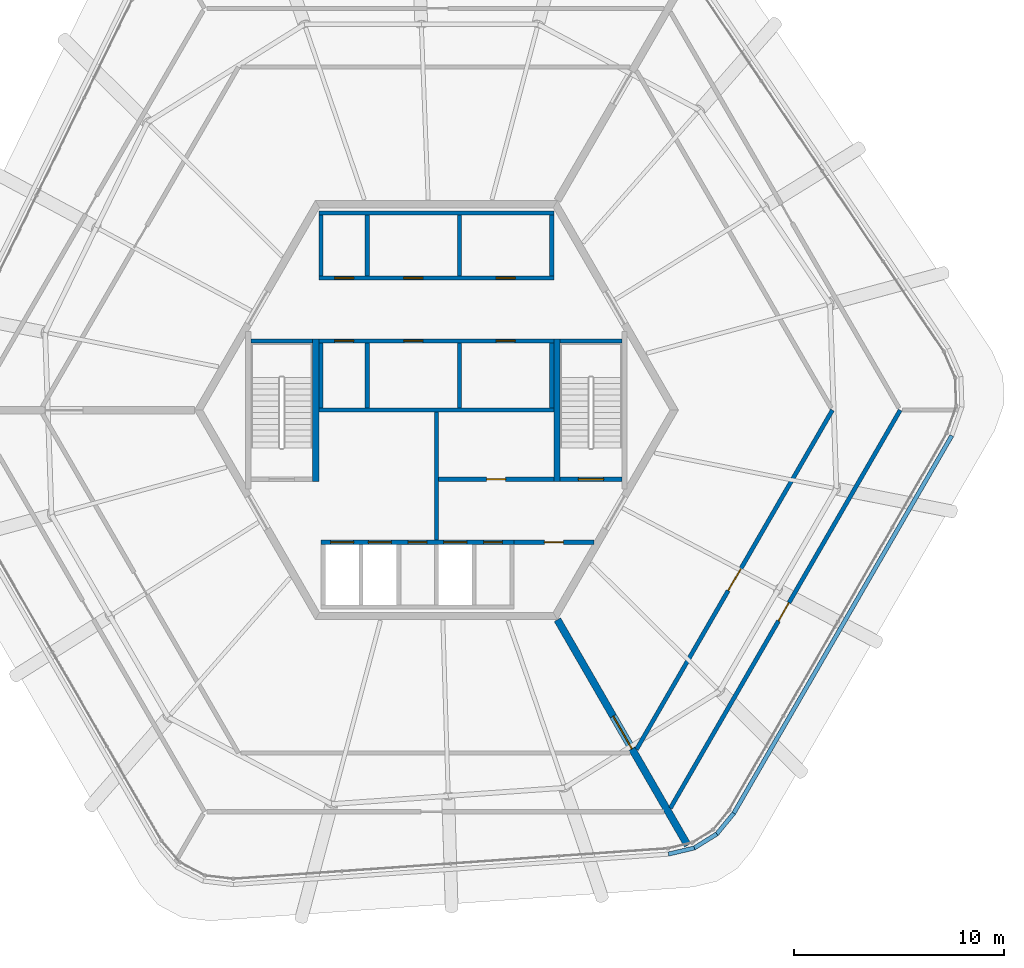
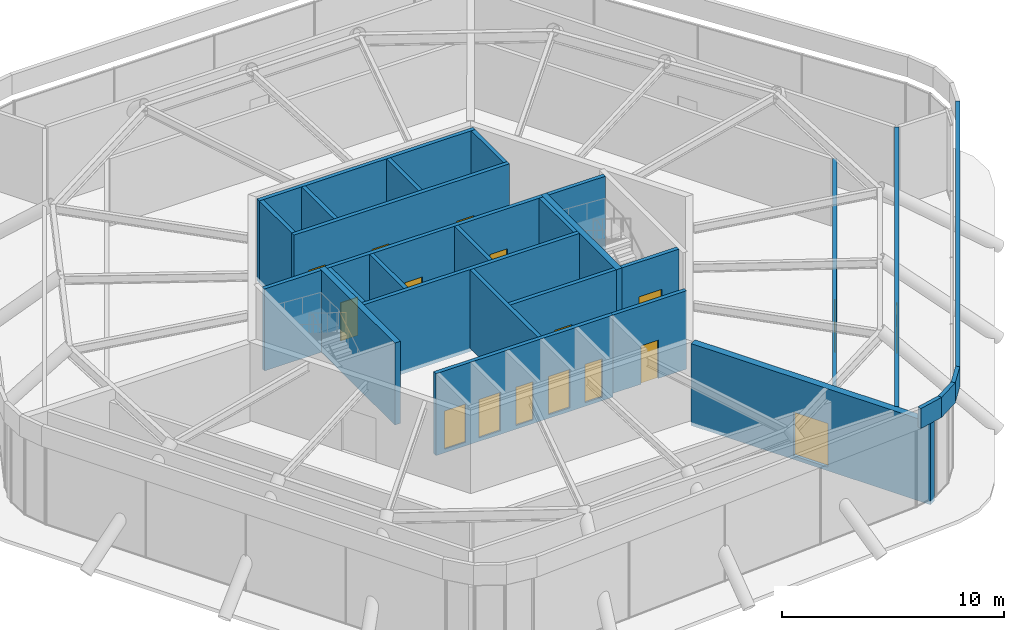
# One storey, part 11 of 13: 28 walls, 17 doors, 17 openings.
"""IFC4 building model written with IfcOpenShell, lengths in metres."""

from ifc_helpers import new_model, si_unit, direction, frame, frame_2d, origin, place, context, subcontext, project, spatial, polyline, rectangle, outline, extrude, material, layer, layer_set, type_object, element, fill, save


model = new_model("IFC4")

# Units and contexts
model_context = context("Model", 3, precision=1e-05, world=origin(), true_north=direction((0.0, 1.0)))
body_context = subcontext(model_context, "Body", "Model", "MODEL_VIEW")
ifc_project = project(units=[si_unit("LENGTHUNIT", "METRE"), si_unit("AREAUNIT", "SQUARE_METRE"), si_unit("VOLUMEUNIT", "CUBIC_METRE"), si_unit("PLANEANGLEUNIT", "RADIAN"), si_unit("MASSUNIT", "GRAM", prefix="KILO")], contexts=[model_context])

# Site, building, storey
site_placement = place(None, origin())
site = spatial("IfcSite", under=ifc_project, at=site_placement, CompositionType="ELEMENT")
building_placement = place(site_placement, origin())
building = spatial("IfcBuilding", under=site, at=building_placement, Name="Tarnside Tower", CompositionType="ELEMENT")
storey_placement = place(building_placement, frame((0.0, 0.0, 388.199951171875)))
storey = spatial("IfcBuildingStorey", under=building, at=storey_placement, Name="L92", CompositionType="ELEMENT", Elevation=388.199951171875)

# Wall, opening, door
ifc_material_1 = material(Name="Concrete C40/50", Category="concrete")
ifc_layer_1 = layer(ifc_material_1, 0.199951171875)
ifc_layer_set_1 = layer_set([ifc_layer_1], Name="Core room partition 200 C40/50")
wall_type_1 = type_object("IfcWallType", Name="Core room partition 200 C40/50", PredefinedType="PARTITIONING", material=ifc_layer_set_1)
wall_1_placement = place(storey_placement, frame((0.10009765625, -3.300048828125, 0.0), z_axis=(0.0, 0.0, 1.0), x_axis=(1.0, 0.0, 0.0)))
wall_1 = element("IfcWall", 1, at=wall_1_placement, inside=storey, type_object=wall_type_1, Name="L92 core partition R3S1", PredefinedType="PARTITIONING", context=body_context, shape_type="SweptSolid", body=[
    extrude(rectangle(XDim=5.5, YDim=0.199951171875, at=frame_2d((2.75, 0.0))), origin(), (0.0, 0.0, 1.0), 4.300048828125),
])
opening_1_placement = place(wall_1_placement, frame((2.300048828125, 0.0, 0.0)))
opening_1 = element("IfcOpeningElement", 2, at=opening_1_placement, cuts=wall_1, Name="Opening CD-room", PredefinedType="OPENING", context=body_context, shape_type="SweptSolid", body=[
    extrude(rectangle(XDim=0.89990234375, YDim=2.10009765625, at=frame_2d((0.449951171875, 1.050048828125))), frame((0.0, 0.10986328125, 0.0), z_axis=(0.0, -1.0, 0.0), x_axis=(1.0, 0.0, 0.0)), (0.0, 0.0, 1.0), 0.219970703125),
])
ifc_material_2 = material(Name="Steel fire door", Category="steel")
door_type_1 = type_object("IfcDoorType", Name="Room door FD60 900x2100", OperationType="NOTDEFINED", PredefinedType="DOOR", material=ifc_material_2)
door_1_placement = place(opening_1_placement, origin())
door_1 = element("IfcDoor", 3, at=door_1_placement, inside=storey, type_object=door_type_1, Name="L92 core room door SR1", OperationType="SINGLE_SWING_LEFT", OverallHeight=2.10009765625, OverallWidth=0.89990234375, PredefinedType="DOOR", context=body_context, shape_type="SweptSolid", body=[
    extrude(rectangle(XDim=0.89990234375, YDim=2.10009765625, at=frame_2d((0.449951171875, 1.050048828125))), frame((0.0, 0.02490234375, 0.0), z_axis=(0.0, -1.0, 0.0), x_axis=(1.0, 0.0, 0.0)), (0.0, 0.0, 1.0), 0.050048828125),
])
fill(opening_1, door_1)

# Wall
wall_2_placement = place(storey_placement, frame((0.0, -6.199951171875, 0.0), z_axis=(0.0, 0.0, 1.0), x_axis=(0.0, 1.0, 0.0)))
element("IfcWall", 4, at=wall_2_placement, inside=storey, type_object=wall_type_1, Name="L92 core partition X0", PredefinedType="PARTITIONING", context=body_context, shape_type="SweptSolid", body=[
    extrude(rectangle(XDim=6.099853515625, YDim=0.199951171875, at=frame_2d((3.0498046875, 0.0))), origin(), (0.0, 0.0, 1.0), 4.300048828125),
])

# Wall, opening, door
wall_3_placement = place(storey_placement, frame((3.699951171875, -6.300048828125, 0.0), z_axis=(0.0, 0.0, 1.0), x_axis=(1.0, 0.0, 0.0)))
wall_3 = element("IfcWall", 5, at=wall_3_placement, inside=storey, type_object=wall_type_1, Name="L92 core partition R4X", PredefinedType="PARTITIONING", context=body_context, shape_type="SweptSolid", body=[
    extrude(rectangle(XDim=3.8056640625, YDim=0.199951171875, at=frame_2d((1.90283203125, 0.0))), origin(), (0.0, 0.0, 1.0), 4.300048828125),
])
opening_2_placement = place(wall_3_placement, frame((1.452880859375, 0.0, 0.0)))
opening_2 = element("IfcOpeningElement", 6, at=opening_2_placement, cuts=wall_3, Name="Opening CD-room", PredefinedType="OPENING", context=body_context, shape_type="SweptSolid", body=[
    extrude(rectangle(XDim=0.89990234375, YDim=2.10009765625, at=frame_2d((0.449951171875, 1.050048828125))), frame((0.0, 0.10986328125, 0.0), z_axis=(0.0, -1.0, 0.0), x_axis=(1.0, 0.0, 0.0)), (0.0, 0.0, 1.0), 0.219970703125),
])
door_2_placement = place(opening_2_placement, origin())
door_2 = element("IfcDoor", 7, at=door_2_placement, inside=storey, type_object=door_type_1, Name="L92 core room door RX", OperationType="SINGLE_SWING_LEFT", OverallHeight=2.10009765625, OverallWidth=0.89990234375, PredefinedType="DOOR", context=body_context, shape_type="SweptSolid", body=[
    extrude(rectangle(XDim=0.89990234375, YDim=2.10009765625, at=frame_2d((0.449951171875, 1.050048828125))), frame((0.0, 0.02490234375, 0.0), z_axis=(0.0, -1.0, 0.0), x_axis=(1.0, 0.0, 0.0)), (0.0, 0.0, 1.0), 0.050048828125),
])
fill(opening_2, door_2)

ifc_material_3 = material(Name="Concrete C50/60", Category="concrete")
ifc_layer_2 = layer(ifc_material_3, 0.35009765625)
ifc_layer_set_2 = layer_set([ifc_layer_2], Name="Core wall Z4 350 C50/60")
wall_type_2 = type_object("IfcWallType", Name="Core wall Z4 350 C50/60", PredefinedType="SHEAR", material=ifc_layer_set_2)
wall_4_placement = place(storey_placement, frame((5.7734375, -10.0, -0.199951171875), z_axis=(0.0, 0.0, 1.0), x_axis=(0.50001273609, -0.866018050475, 0.0)))
wall_4 = element("IfcWall", 8, at=wall_4_placement, inside=storey, type_object=wall_type_2, Name="L92 spine wall 3", PredefinedType="SHEAR", context=body_context, shape_type="SweptSolid", body=[
    extrude(rectangle(XDim=12.425048828125, YDim=0.35009765625, at=frame_2d((6.21240234375, 0.0))), origin(), (0.0, 0.0, 1.0), 4.5),
])
opening_3_placement = place(wall_4_placement, frame((5.3125, 0.0, 0.199951171875)))
opening_3 = element("IfcOpeningElement", 9, at=opening_3_placement, cuts=wall_4, Name="Opening CD-SPN", PredefinedType="OPENING", context=body_context, shape_type="SweptSolid", body=[
    extrude(rectangle(XDim=1.800048828125, YDim=2.39990234375, at=frame_2d((0.89990234375, 1.199951171875))), frame((0.0, 0.18505859375, 0.0), z_axis=(0.0, -1.0, 0.0), x_axis=(1.0, 0.0, 0.0)), (0.0, 0.0, 1.0), 0.3701171875),
])
door_type_2 = type_object("IfcDoorType", Name="Spine passage double door FD60 1800x2400", OperationType="NOTDEFINED", PredefinedType="DOOR", material=ifc_material_2)
door_3_placement = place(opening_3_placement, origin())
door_3 = element("IfcDoor", 10, at=door_3_placement, inside=storey, type_object=door_type_2, Name="L92 spine passage door 3", OperationType="DOUBLE_DOOR_SINGLE_SWING", OverallHeight=2.39990234375, OverallWidth=1.800048828125, PredefinedType="DOOR", context=body_context, shape_type="SweptSolid", body=[
    extrude(rectangle(XDim=1.800048828125, YDim=2.39990234375, at=frame_2d((0.89990234375, 1.199951171875))), frame((0.0, 0.02490234375, 0.0), z_axis=(0.0, -1.0, 0.0), x_axis=(1.0, 0.0, 0.0)), (0.0, 0.0, 1.0), 0.050048828125),
])
fill(opening_3, door_3)

# Wall, openings, doors
ifc_layer_3 = layer(ifc_material_1, 0.199951171875)
ifc_layer_set_3 = layer_set([ifc_layer_3], Name="Lift shaft wall 200 C40/50")
wall_type_3 = type_object("IfcWallType", Name="Lift shaft wall 200 C40/50", PredefinedType="SHEAR", material=ifc_layer_set_3)
wall_5_placement = place(storey_placement, frame((-5.60009765625, 6.300048828125, -0.199951171875), z_axis=(0.0, 0.0, 1.0), x_axis=(1.0, 0.0, 0.0)))
wall_5 = element("IfcWall", 11, at=wall_5_placement, inside=storey, type_object=wall_type_3, Name="L92 lift shaft front wall R1", PredefinedType="SHEAR", context=body_context, shape_type="SweptSolid", body=[
    extrude(rectangle(XDim=11.2001953125, YDim=0.199951171875, at=frame_2d((5.60009765625, 0.0))), origin(), (0.0, 0.0, 1.0), 4.5),
])
opening_4_placement = place(wall_5_placement, frame((0.75, 0.0, 0.199951171875)))
opening_4 = element("IfcOpeningElement", 12, at=opening_4_placement, cuts=wall_5, Name="Opening CD-room", PredefinedType="OPENING", context=body_context, shape_type="SweptSolid", body=[
    extrude(rectangle(XDim=0.89990234375, YDim=2.10009765625, at=frame_2d((0.449951171875, 1.050048828125))), frame((0.0, 0.10986328125, 0.0), z_axis=(0.0, -1.0, 0.0), x_axis=(1.0, 0.0, 0.0)), (0.0, 0.0, 1.0), 0.219970703125),
])
opening_5_placement = place(wall_5_placement, frame((4.050048828125, 0.0, 0.199951171875)))
opening_5 = element("IfcOpeningElement", 13, at=opening_5_placement, cuts=wall_5, Name="Opening CD-room", PredefinedType="OPENING", context=body_context, shape_type="SweptSolid", body=[
    extrude(rectangle(XDim=0.89990234375, YDim=2.10009765625, at=frame_2d((0.449951171875, 1.050048828125))), frame((0.0, 0.10986328125, 0.0), z_axis=(0.0, -1.0, 0.0), x_axis=(1.0, 0.0, 0.0)), (0.0, 0.0, 1.0), 0.219970703125),
])
opening_6_placement = place(wall_5_placement, frame((8.449951171875, 0.0, 0.199951171875)))
opening_6 = element("IfcOpeningElement", 14, at=opening_6_placement, cuts=wall_5, Name="Opening CD-room", PredefinedType="OPENING", context=body_context, shape_type="SweptSolid", body=[
    extrude(rectangle(XDim=0.89990234375, YDim=2.10009765625, at=frame_2d((0.449951171875, 1.050048828125))), frame((0.0, 0.10986328125, 0.0), z_axis=(0.0, -1.0, 0.0), x_axis=(1.0, 0.0, 0.0)), (0.0, 0.0, 1.0), 0.219970703125),
])
door_4_placement = place(opening_4_placement, origin())
door_4 = element("IfcDoor", 15, at=door_4_placement, inside=storey, type_object=door_type_1, Name="L92 core room door FC1", OperationType="SINGLE_SWING_LEFT", OverallHeight=2.10009765625, OverallWidth=0.89990234375, PredefinedType="DOOR", context=body_context, shape_type="SweptSolid", body=[
    extrude(rectangle(XDim=0.89990234375, YDim=2.10009765625, at=frame_2d((0.449951171875, 1.050048828125))), frame((0.0, 0.02490234375, 0.0), z_axis=(0.0, -1.0, 0.0), x_axis=(1.0, 0.0, 0.0)), (0.0, 0.0, 1.0), 0.050048828125),
])
fill(opening_4, door_4)
door_5_placement = place(opening_5_placement, origin())
door_5 = element("IfcDoor", 16, at=door_5_placement, inside=storey, type_object=door_type_1, Name="L92 core room door FC2", OperationType="SINGLE_SWING_LEFT", OverallHeight=2.10009765625, OverallWidth=0.89990234375, PredefinedType="DOOR", context=body_context, shape_type="SweptSolid", body=[
    extrude(rectangle(XDim=0.89990234375, YDim=2.10009765625, at=frame_2d((0.449951171875, 1.050048828125))), frame((0.0, 0.02490234375, 0.0), z_axis=(0.0, -1.0, 0.0), x_axis=(1.0, 0.0, 0.0)), (0.0, 0.0, 1.0), 0.050048828125),
])
fill(opening_5, door_5)
door_6_placement = place(opening_6_placement, origin())
door_6 = element("IfcDoor", 17, at=door_6_placement, inside=storey, type_object=door_type_1, Name="L92 core room door FC3", OperationType="SINGLE_SWING_LEFT", OverallHeight=2.10009765625, OverallWidth=0.89990234375, PredefinedType="DOOR", context=body_context, shape_type="SweptSolid", body=[
    extrude(rectangle(XDim=0.89990234375, YDim=2.10009765625, at=frame_2d((0.449951171875, 1.050048828125))), frame((0.0, 0.02490234375, 0.0), z_axis=(0.0, -1.0, 0.0), x_axis=(1.0, 0.0, 0.0)), (0.0, 0.0, 1.0), 0.050048828125),
])
fill(opening_6, door_6)

# Walls
wall_6_placement = place(storey_placement, frame((-5.60009765625, 9.39990234375, -0.199951171875), z_axis=(0.0, 0.0, 1.0), x_axis=(1.0, 0.0, 0.0)))
element("IfcWall", 18, at=wall_6_placement, inside=storey, type_object=wall_type_3, Name="L92 lift shaft back wall R1", PredefinedType="SHEAR", context=body_context, shape_type="SweptSolid", body=[
    extrude(rectangle(XDim=11.2001953125, YDim=0.199951171875, at=frame_2d((5.60009765625, 0.0))), origin(), (0.0, 0.0, 1.0), 4.5),
])
for number, where, z_axis, x_axis, name in (
    (19, (-5.5, 6.39990234375, -0.199951171875), (0.0, 0.0, 1.0), (0.0, 1.0, 0.0), "L92 lift shaft partition R11"),
    (20, (-3.300048828125, 6.39990234375, -0.199951171875), (0.0, 0.0, 1.0), (0.0, 1.0, 0.0), "L92 lift shaft partition R12"),
    (21, (1.10009765625, 6.39990234375, -0.199951171875), (0.0, 0.0, 1.0), (0.0, 1.0, 0.0), "L92 lift shaft partition R14"),
    (22, (5.5, 6.39990234375, -0.199951171875), (0.0, 0.0, 1.0), (0.0, 1.0, 0.0), "L92 lift shaft partition R16"),
):
    element("IfcWall", number, at=place(storey_placement, frame(where, z_axis=z_axis, x_axis=x_axis)), inside=storey, type_object=wall_type_3, Name=name, PredefinedType="SHEAR", context=body_context, shape_type="SweptSolid", body=[
        extrude(rectangle(XDim=2.900146484375, YDim=0.199951171875, at=frame_2d((1.4501953125, 0.0))), origin(), (0.0, 0.0, 1.0), 4.5),
    ])

# Wall, openings, doors
wall_7_placement = place(storey_placement, frame((-5.60009765625, 3.300048828125, -0.199951171875), z_axis=(0.0, 0.0, 1.0), x_axis=(1.0, 0.0, 0.0)))
wall_7 = element("IfcWall", 23, at=wall_7_placement, inside=storey, type_object=wall_type_3, Name="L92 lift shaft front wall R2", PredefinedType="SHEAR", context=body_context, shape_type="SweptSolid", body=[
    extrude(rectangle(XDim=11.2001953125, YDim=0.199951171875, at=frame_2d((5.60009765625, 0.0))), origin(), (0.0, 0.0, 1.0), 4.5),
])
opening_7_placement = place(wall_7_placement, frame((0.75, 0.0, 0.199951171875)))
opening_7 = element("IfcOpeningElement", 24, at=opening_7_placement, cuts=wall_7, Name="Opening CD-room", PredefinedType="OPENING", context=body_context, shape_type="SweptSolid", body=[
    extrude(rectangle(XDim=0.89990234375, YDim=2.10009765625, at=frame_2d((0.449951171875, 1.050048828125))), frame((0.0, 0.10986328125, 0.0), z_axis=(0.0, -1.0, 0.0), x_axis=(1.0, 0.0, 0.0)), (0.0, 0.0, 1.0), 0.219970703125),
])
opening_8_placement = place(wall_7_placement, frame((4.050048828125, 0.0, 0.199951171875)))
opening_8 = element("IfcOpeningElement", 25, at=opening_8_placement, cuts=wall_7, Name="Opening CD-room", PredefinedType="OPENING", context=body_context, shape_type="SweptSolid", body=[
    extrude(rectangle(XDim=0.89990234375, YDim=2.10009765625, at=frame_2d((0.449951171875, 1.050048828125))), frame((0.0, 0.10986328125, 0.0), z_axis=(0.0, -1.0, 0.0), x_axis=(1.0, 0.0, 0.0)), (0.0, 0.0, 1.0), 0.219970703125),
])
opening_9_placement = place(wall_7_placement, frame((8.449951171875, 0.0, 0.199951171875)))
opening_9 = element("IfcOpeningElement", 26, at=opening_9_placement, cuts=wall_7, Name="Opening CD-room", PredefinedType="OPENING", context=body_context, shape_type="SweptSolid", body=[
    extrude(rectangle(XDim=0.89990234375, YDim=2.10009765625, at=frame_2d((0.449951171875, 1.050048828125))), frame((0.0, 0.10986328125, 0.0), z_axis=(0.0, -1.0, 0.0), x_axis=(1.0, 0.0, 0.0)), (0.0, 0.0, 1.0), 0.219970703125),
])
door_7_placement = place(opening_7_placement, origin())
door_7 = element("IfcDoor", 27, at=door_7_placement, inside=storey, type_object=door_type_1, Name="L92 core room door FC4", OperationType="SINGLE_SWING_LEFT", OverallHeight=2.10009765625, OverallWidth=0.89990234375, PredefinedType="DOOR", context=body_context, shape_type="SweptSolid", body=[
    extrude(rectangle(XDim=0.89990234375, YDim=2.10009765625, at=frame_2d((0.449951171875, 1.050048828125))), frame((0.0, 0.02490234375, 0.0), z_axis=(0.0, -1.0, 0.0), x_axis=(1.0, 0.0, 0.0)), (0.0, 0.0, 1.0), 0.050048828125),
])
fill(opening_7, door_7)
door_8_placement = place(opening_8_placement, origin())
door_8 = element("IfcDoor", 28, at=door_8_placement, inside=storey, type_object=door_type_1, Name="L92 core room door FC5", OperationType="SINGLE_SWING_LEFT", OverallHeight=2.10009765625, OverallWidth=0.89990234375, PredefinedType="DOOR", context=body_context, shape_type="SweptSolid", body=[
    extrude(rectangle(XDim=0.89990234375, YDim=2.10009765625, at=frame_2d((0.449951171875, 1.050048828125))), frame((0.0, 0.02490234375, 0.0), z_axis=(0.0, -1.0, 0.0), x_axis=(1.0, 0.0, 0.0)), (0.0, 0.0, 1.0), 0.050048828125),
])
fill(opening_8, door_8)
door_9_placement = place(opening_9_placement, origin())
door_9 = element("IfcDoor", 29, at=door_9_placement, inside=storey, type_object=door_type_1, Name="L92 core room door FC6", OperationType="SINGLE_SWING_LEFT", OverallHeight=2.10009765625, OverallWidth=0.89990234375, PredefinedType="DOOR", context=body_context, shape_type="SweptSolid", body=[
    extrude(rectangle(XDim=0.89990234375, YDim=2.10009765625, at=frame_2d((0.449951171875, 1.050048828125))), frame((0.0, 0.02490234375, 0.0), z_axis=(0.0, -1.0, 0.0), x_axis=(1.0, 0.0, 0.0)), (0.0, 0.0, 1.0), 0.050048828125),
])
fill(opening_9, door_9)

# Walls
wall_8_placement = place(storey_placement, frame((-5.60009765625, 0.0, -0.199951171875), z_axis=(0.0, 0.0, 1.0), x_axis=(1.0, 0.0, 0.0)))
element("IfcWall", 30, at=wall_8_placement, inside=storey, type_object=wall_type_3, Name="L92 lift shaft back wall R2", PredefinedType="SHEAR", context=body_context, shape_type="SweptSolid", body=[
    extrude(rectangle(XDim=11.2001953125, YDim=0.199951171875, at=frame_2d((5.60009765625, 0.0))), origin(), (0.0, 0.0, 1.0), 4.5),
])
for number, where, z_axis, x_axis, name in (
    (31, (-5.5, 0.10009765625, -0.199951171875), (0.0, 0.0, 1.0), (0.0, 1.0, 0.0), "L92 lift shaft partition R21"),
    (32, (-3.300048828125, 0.10009765625, -0.199951171875), (0.0, 0.0, 1.0), (0.0, 1.0, 0.0), "L92 lift shaft partition R22"),
    (33, (1.10009765625, 0.10009765625, -0.199951171875), (0.0, 0.0, 1.0), (0.0, 1.0, 0.0), "L92 lift shaft partition R24"),
    (34, (5.5, 0.10009765625, -0.199951171875), (0.0, 0.0, 1.0), (0.0, 1.0, 0.0), "L92 lift shaft partition R26"),
):
    element("IfcWall", number, at=place(storey_placement, frame(where, z_axis=z_axis, x_axis=x_axis)), inside=storey, type_object=wall_type_3, Name=name, PredefinedType="SHEAR", context=body_context, shape_type="SweptSolid", body=[
        extrude(rectangle(XDim=3.099853515625, YDim=0.199951171875, at=frame_2d((1.5498046875, 0.0))), origin(), (0.0, 0.0, 1.0), 4.5),
    ])

# Wall, openings, doors
wall_9_placement = place(storey_placement, frame((-5.5, -6.300048828125, -0.199951171875), z_axis=(0.0, 0.0, 1.0), x_axis=(1.0, 0.0, 0.0)))
wall_9 = element("IfcWall", 35, at=wall_9_placement, inside=storey, type_object=wall_type_3, Name="L92 lift shaft front wall R4", PredefinedType="SHEAR", context=body_context, shape_type="SweptSolid", body=[
    extrude(rectangle(XDim=9.199951171875, YDim=0.199951171875, at=frame_2d((4.60009765625, 0.0))), origin(), (0.0, 0.0, 1.0), 4.5),
])
opening_10_placement = place(wall_9_placement, frame((4.14990234375, 0.0, 0.199951171875)))
opening_10 = element("IfcOpeningElement", 36, at=opening_10_placement, cuts=wall_9, Name="Opening CD-room", PredefinedType="OPENING", context=body_context, shape_type="SweptSolid", body=[
    extrude(rectangle(XDim=0.89990234375, YDim=2.10009765625, at=frame_2d((0.449951171875, 1.050048828125))), frame((0.0, 0.10986328125, 0.0), z_axis=(0.0, -1.0, 0.0), x_axis=(1.0, 0.0, 0.0)), (0.0, 0.0, 1.0), 0.219970703125),
])
opening_11_placement = place(wall_9_placement, frame((7.75, 0.0, 0.199951171875)))
opening_11 = element("IfcOpeningElement", 37, at=opening_11_placement, cuts=wall_9, Name="Opening CD-room", PredefinedType="OPENING", context=body_context, shape_type="SweptSolid", body=[
    extrude(rectangle(XDim=0.89990234375, YDim=2.10009765625, at=frame_2d((0.449951171875, 1.050048828125))), frame((0.0, 0.10986328125, 0.0), z_axis=(0.0, -1.0, 0.0), x_axis=(1.0, 0.0, 0.0)), (0.0, 0.0, 1.0), 0.219970703125),
])
opening_12_placement = place(wall_9_placement, frame((0.449951171875, 0.0, 0.199951171875)))
opening_12 = element("IfcOpeningElement", 38, at=opening_12_placement, cuts=wall_9, Name="Opening LDF", PredefinedType="OPENING", context=body_context, shape_type="SweptSolid", body=[
    extrude(rectangle(XDim=1.10009765625, YDim=2.10009765625, at=frame_2d((0.550048828125, 1.050048828125))), frame((0.0, 0.10986328125, 0.0), z_axis=(0.0, -1.0, 0.0), x_axis=(1.0, 0.0, 0.0)), (0.0, 0.0, 1.0), 0.219970703125),
])
opening_13_placement = place(wall_9_placement, frame((2.25, 0.0, 0.199951171875)))
opening_13 = element("IfcOpeningElement", 39, at=opening_13_placement, cuts=wall_9, Name="Opening LDF", PredefinedType="OPENING", context=body_context, shape_type="SweptSolid", body=[
    extrude(rectangle(XDim=1.10009765625, YDim=2.10009765625, at=frame_2d((0.550048828125, 1.050048828125))), frame((0.0, 0.10986328125, 0.0), z_axis=(0.0, -1.0, 0.0), x_axis=(1.0, 0.0, 0.0)), (0.0, 0.0, 1.0), 0.219970703125),
])
opening_14_placement = place(wall_9_placement, frame((5.85009765625, 0.0, 0.199951171875)))
opening_14 = element("IfcOpeningElement", 40, at=opening_14_placement, cuts=wall_9, Name="Opening LDF", PredefinedType="OPENING", context=body_context, shape_type="SweptSolid", body=[
    extrude(rectangle(XDim=1.10009765625, YDim=2.10009765625, at=frame_2d((0.550048828125, 1.050048828125))), frame((0.0, 0.10986328125, 0.0), z_axis=(0.0, -1.0, 0.0), x_axis=(1.0, 0.0, 0.0)), (0.0, 0.0, 1.0), 0.219970703125),
])
ifc_material_4 = material(Name="Stainless steel", Category="steel")
door_type_3 = type_object("IfcDoorType", Name="Lift landing door 1100x2100 EI 120", OperationType="NOTDEFINED", PredefinedType="DOOR", material=ifc_material_4)
door_10_placement = place(opening_12_placement, origin())
door_10 = element("IfcDoor", 41, at=door_10_placement, inside=storey, type_object=door_type_3, Name="Firefighting lift 1 landing door L92", OperationType="SLIDING_TO_LEFT", OverallHeight=2.10009765625, OverallWidth=1.10009765625, PredefinedType="DOOR", context=body_context, shape_type="SweptSolid", body=[
    extrude(rectangle(XDim=1.10009765625, YDim=2.10009765625, at=frame_2d((0.550048828125, 1.050048828125))), frame((0.0, 0.02490234375, 0.0), z_axis=(0.0, -1.0, 0.0), x_axis=(1.0, 0.0, 0.0)), (0.0, 0.0, 1.0), 0.050048828125),
])
fill(opening_12, door_10)
door_11_placement = place(opening_13_placement, origin())
door_11 = element("IfcDoor", 42, at=door_11_placement, inside=storey, type_object=door_type_3, Name="Firefighting lift 2 landing door L92", OperationType="SLIDING_TO_LEFT", OverallHeight=2.10009765625, OverallWidth=1.10009765625, PredefinedType="DOOR", context=body_context, shape_type="SweptSolid", body=[
    extrude(rectangle(XDim=1.10009765625, YDim=2.10009765625, at=frame_2d((0.550048828125, 1.050048828125))), frame((0.0, 0.02490234375, 0.0), z_axis=(0.0, -1.0, 0.0), x_axis=(1.0, 0.0, 0.0)), (0.0, 0.0, 1.0), 0.050048828125),
])
fill(opening_13, door_11)
door_12_placement = place(opening_14_placement, origin())
door_12 = element("IfcDoor", 43, at=door_12_placement, inside=storey, type_object=door_type_3, Name="Firefighting lift 4 landing door L92", OperationType="SLIDING_TO_LEFT", OverallHeight=2.10009765625, OverallWidth=1.10009765625, PredefinedType="DOOR", context=body_context, shape_type="SweptSolid", body=[
    extrude(rectangle(XDim=1.10009765625, YDim=2.10009765625, at=frame_2d((0.550048828125, 1.050048828125))), frame((0.0, 0.02490234375, 0.0), z_axis=(0.0, -1.0, 0.0), x_axis=(1.0, 0.0, 0.0)), (0.0, 0.0, 1.0), 0.050048828125),
])
fill(opening_14, door_12)
door_13_placement = place(opening_10_placement, origin())
door_13 = element("IfcDoor", 44, at=door_13_placement, inside=storey, type_object=door_type_1, Name="L92 core room door FC7", OperationType="SINGLE_SWING_LEFT", OverallHeight=2.10009765625, OverallWidth=0.89990234375, PredefinedType="DOOR", context=body_context, shape_type="SweptSolid", body=[
    extrude(rectangle(XDim=0.89990234375, YDim=2.10009765625, at=frame_2d((0.449951171875, 1.050048828125))), frame((0.0, 0.02490234375, 0.0), z_axis=(0.0, -1.0, 0.0), x_axis=(1.0, 0.0, 0.0)), (0.0, 0.0, 1.0), 0.050048828125),
])
fill(opening_10, door_13)
door_14_placement = place(opening_11_placement, origin())
door_14 = element("IfcDoor", 45, at=door_14_placement, inside=storey, type_object=door_type_1, Name="L92 core room door FC8", OperationType="SINGLE_SWING_LEFT", OverallHeight=2.10009765625, OverallWidth=0.89990234375, PredefinedType="DOOR", context=body_context, shape_type="SweptSolid", body=[
    extrude(rectangle(XDim=0.89990234375, YDim=2.10009765625, at=frame_2d((0.449951171875, 1.050048828125))), frame((0.0, 0.02490234375, 0.0), z_axis=(0.0, -1.0, 0.0), x_axis=(1.0, 0.0, 0.0)), (0.0, 0.0, 1.0), 0.050048828125),
])
fill(opening_11, door_14)

# Wall
wall_10_placement = place(storey_placement, frame((5.89990234375, 3.300048828125, -0.199951171875), z_axis=(0.0, 0.0, 1.0), x_axis=(1.0, 0.0, 0.0)))
element("IfcWall", 46, at=wall_10_placement, inside=storey, type_object=wall_type_3, Name="L92 stair 1 enclosure cap wall n", PredefinedType="SHEAR", context=body_context, shape_type="SweptSolid", body=[
    extrude(rectangle(XDim=2.9501953125, YDim=0.199951171875, at=frame_2d((1.47509765625, 0.0))), origin(), (0.0, 0.0, 1.0), 4.5),
])

# Wall, opening, door
wall_11_placement = place(storey_placement, frame((5.89990234375, -3.300048828125, -0.199951171875), z_axis=(0.0, 0.0, 1.0), x_axis=(1.0, 0.0, 0.0)))
wall_11 = element("IfcWall", 47, at=wall_11_placement, inside=storey, type_object=wall_type_3, Name="L92 stair 1 enclosure cap wall s", PredefinedType="SHEAR", context=body_context, shape_type="SweptSolid", body=[
    extrude(rectangle(XDim=2.9501953125, YDim=0.199951171875, at=frame_2d((1.47509765625, 0.0))), origin(), (0.0, 0.0, 1.0), 4.5),
])
opening_15_placement = place(wall_11_placement, frame((0.875, 0.0, 0.199951171875)))
opening_15 = element("IfcOpeningElement", 48, at=opening_15_placement, cuts=wall_11, Name="Opening CD-STR", PredefinedType="OPENING", context=body_context, shape_type="SweptSolid", body=[
    extrude(rectangle(XDim=1.199951171875, YDim=2.39990234375, at=frame_2d((0.60009765625, 1.199951171875))), frame((0.0, 0.10986328125, 0.0), z_axis=(0.0, -1.0, 0.0), x_axis=(1.0, 0.0, 0.0)), (0.0, 0.0, 1.0), 0.219970703125),
])
door_type_4 = type_object("IfcDoorType", Name="Stair door FD60S 1200x2400", OperationType="NOTDEFINED", PredefinedType="DOOR", material=ifc_material_2)
door_15_placement = place(opening_15_placement, origin())
door_15 = element("IfcDoor", 49, at=door_15_placement, inside=storey, type_object=door_type_4, Name="L92 stair 1 door", OperationType="SINGLE_SWING_LEFT", OverallHeight=2.39990234375, OverallWidth=1.199951171875, PredefinedType="DOOR", context=body_context, shape_type="SweptSolid", body=[
    extrude(rectangle(XDim=1.199951171875, YDim=2.39990234375, at=frame_2d((0.60009765625, 1.199951171875))), frame((0.0, 0.02490234375, 0.0), z_axis=(0.0, -1.0, 0.0), x_axis=(1.0, 0.0, 0.0)), (0.0, 0.0, 1.0), 0.050048828125),
])
fill(opening_15, door_15)

# Walls
wall_12_placement = place(storey_placement, frame((-8.85009765625, 3.300048828125, -0.199951171875), z_axis=(0.0, 0.0, 1.0), x_axis=(1.0, 0.0, 0.0)))
element("IfcWall", 50, at=wall_12_placement, inside=storey, type_object=wall_type_3, Name="L92 stair 2 enclosure cap wall n", PredefinedType="SHEAR", context=body_context, shape_type="SweptSolid", body=[
    extrude(rectangle(XDim=2.9501953125, YDim=0.199951171875, at=frame_2d((1.47509765625, 0.0))), origin(), (0.0, 0.0, 1.0), 4.5),
])
ifc_material_5 = material(Name="Concrete C35/45 precast", Category="concrete")
ifc_layer_4 = layer(ifc_material_5, 0.199951171875)
ifc_layer_set_4 = layer_set([ifc_layer_4], Name="Parapet 200 x 1100")
wall_type_4 = type_object("IfcWallType", Name="Parapet 200 x 1100", PredefinedType="PARAPET", material=ifc_layer_set_4)
wall_13_placement = place(storey_placement, frame((24.585205078125, -1.21728515625, 4.5), z_axis=(0.0, 0.0, 1.0), x_axis=(-0.500005572435, -0.866022186514, 0.0)))
element("IfcWall", 51, at=wall_13_placement, inside=storey, type_object=wall_type_4, Name="Roof parapet 08", PredefinedType="PARAPET", context=body_context, shape_type="SweptSolid", body=[
    extrude(outline(polyline([(0.00927734375, -0.10009765625), (20.79296875, -0.10009765625), (20.80908203125, 0.10009765625), (-0.00927734375, 0.10009765625), (0.00927734375, -0.10009765625)])), origin(), (0.0, 0.0, 1.0), 1.10009765625),
])
wall_14_placement = place(storey_placement, frame((14.1845703125, -19.2314453125, 4.5), z_axis=(0.0, 0.0, 1.0), x_axis=(-0.633728573492, -0.773555489374, 0.0)))
element("IfcWall", 52, at=wall_14_placement, inside=storey, type_object=wall_type_4, Name="Roof parapet 09", PredefinedType="PARAPET", context=body_context, shape_type="SweptSolid", body=[
    extrude(outline(polyline([(0.008056640625, -0.10009765625), (1.256591796875, -0.10009765625), (1.289306640625, 0.10009765625), (-0.008056640625, 0.10009765625), (0.008056640625, -0.10009765625)])), origin(), (0.0, 0.0, 1.0), 1.10009765625),
])
wall_15_placement = place(storey_placement, frame((13.3779296875, -20.216064453125, 4.5), z_axis=(0.0, 0.0, 1.0), x_axis=(-0.848139277309, -0.529773315943, 0.0)))
element("IfcWall", 53, at=wall_15_placement, inside=storey, type_object=wall_type_4, Name="Roof parapet 10", PredefinedType="PARAPET", context=body_context, shape_type="SweptSolid", body=[
    extrude(outline(polyline([(0.016357421875, -0.10009765625), (1.248291015625, -0.10009765625), (1.281005859375, 0.10009765625), (-0.016357421875, 0.10009765625), (0.016357421875, -0.10009765625)])), origin(), (0.0, 0.0, 1.0), 1.10009765625),
])
wall_16_placement = place(storey_placement, frame((12.305419921875, -20.885986328125, 4.5), z_axis=(0.0, 0.0, 1.0), x_axis=(-0.973015728144, -0.230738797744, 0.0)))
element("IfcWall", 54, at=wall_16_placement, inside=storey, type_object=wall_type_4, Name="Roof parapet 11", PredefinedType="PARAPET", context=body_context, shape_type="SweptSolid", body=[
    extrude(outline(polyline([(0.016357421875, -0.10009765625), (1.264892578125, -0.10009765625), (1.281005859375, 0.10009765625), (-0.016357421875, 0.10009765625), (0.016357421875, -0.10009765625)])), origin(), (0.0, 0.0, 1.0), 1.10009765625),
])
ifc_layer_5 = layer(ifc_material_1, 0.300048828125)
ifc_layer_set_5 = layer_set([ifc_layer_5], Name="Stair enclosure wall 300 C40/50")
wall_type_5 = type_object("IfcWallType", Name="Stair enclosure wall 300 C40/50", PredefinedType="SHEAR", material=ifc_layer_set_5)
for number, where, z_axis, x_axis, name in (
    (55, (5.75, -3.39990234375, -0.199951171875), (0.0, 0.0, 1.0), (0.0, 1.0, 0.0), "L92 stair 1 enclosure wall inner"),
    (56, (-5.75, -3.39990234375, -0.199951171875), (0.0, 0.0, 1.0), (0.0, 1.0, 0.0), "L92 stair 2 enclosure wall inner"),
):
    element("IfcWall", number, at=place(storey_placement, frame(where, z_axis=z_axis, x_axis=x_axis)), inside=storey, type_object=wall_type_5, Name=name, PredefinedType="SHEAR", context=body_context, shape_type="SweptSolid", body=[
        extrude(rectangle(XDim=6.7998046875, YDim=0.300048828125, at=frame_2d((3.39990234375, 0.0))), origin(), (0.0, 0.0, 1.0), 4.5),
    ])

# Wall, opening, door
ifc_material_6 = material(Name="Concrete C32/40", Category="concrete")
ifc_layer_6 = layer(ifc_material_6, 0.199951171875)
ifc_layer_set_6 = layer_set([ifc_layer_6], Name="Wall 200 reinforced Concrete C32/40")
wall_type_6 = type_object("IfcWallType", Name="Wall 200 reinforced Concrete C32/40", PredefinedType="PARTITIONING", material=ifc_layer_set_6)
wall_17_placement = place(storey_placement, frame((9.5458984375, -16.18505859375, 0.0), z_axis=(0.0, 0.0, 1.0), x_axis=(0.500030775662, 0.866007634718, 0.0)))
wall_17 = element("IfcWall", 57, at=wall_17_placement, inside=storey, type_object=wall_type_6, Name="Partition 009", PredefinedType="PARTITIONING", context=body_context, shape_type="SweptSolid", body=[
    extrude(rectangle(XDim=18.689208984375, YDim=0.199951171875, at=frame_2d((9.3447265625, 0.0))), origin(), (0.0, 0.0, 1.0), 3.6923828125),
])
opening_16_placement = place(wall_17_placement, frame((8.74462890625, 0.0, 0.0)))
opening_16 = element("IfcOpeningElement", 58, at=opening_16_placement, cuts=wall_17, Name="Opening D1200F60", PredefinedType="OPENING", context=body_context, shape_type="SweptSolid", body=[
    extrude(rectangle(XDim=1.199951171875, YDim=2.10009765625, at=frame_2d((0.60009765625, 1.050048828125))), frame((0.0, 0.10986328125, 0.0), z_axis=(0.0, -1.0, 0.0), x_axis=(1.0, 0.0, 0.0)), (0.0, 0.0, 1.0), 0.219970703125),
])
ifc_material_7 = material(Name="Timber door leaf", Category="wood")
door_type_5 = type_object("IfcDoorType", Name="Door 1200 x 2100 single leaf FD60 fire door", OperationType="NOTDEFINED", PredefinedType="DOOR", material=ifc_material_7)
door_16_placement = place(opening_16_placement, origin())
door_16 = element("IfcDoor", 59, at=door_16_placement, inside=storey, type_object=door_type_5, Name="Door L92-06", OperationType="SINGLE_SWING_LEFT", OverallHeight=2.10009765625, OverallWidth=1.199951171875, PredefinedType="DOOR", context=body_context, shape_type="SweptSolid", body=[
    extrude(rectangle(XDim=1.199951171875, YDim=2.10009765625, at=frame_2d((0.60009765625, 1.050048828125))), frame((0.0, 0.02490234375, 0.0), z_axis=(0.0, -1.0, 0.0), x_axis=(1.0, 0.0, 0.0)), (0.0, 0.0, 1.0), 0.050048828125),
])
fill(opening_16, door_16)

wall_18_placement = place(storey_placement, frame((22.1240234375, 0.0, 0.0), z_axis=(0.0, 0.0, 1.0), x_axis=(-0.49999591573, -0.866027761826, 0.0)))
wall_18 = element("IfcWall", 60, at=wall_18_placement, inside=storey, type_object=wall_type_6, Name="Partition 011", PredefinedType="PARTITIONING", context=body_context, shape_type="SweptSolid", body=[
    extrude(rectangle(XDim=21.922119140625, YDim=0.199951171875, at=frame_2d((10.9609375, 0.0))), origin(), (0.0, 0.0, 1.0), 4.300048828125),
])
opening_17_placement = place(wall_18_placement, frame((10.611083984375, 0.0, 0.0)))
opening_17 = element("IfcOpeningElement", 61, at=opening_17_placement, cuts=wall_18, Name="Opening D1000F60", PredefinedType="OPENING", context=body_context, shape_type="SweptSolid", body=[
    extrude(rectangle(XDim=1.0, YDim=2.10009765625, at=frame_2d((0.5, 1.050048828125))), frame((0.0, 0.10986328125, 0.0), z_axis=(0.0, -1.0, 0.0), x_axis=(1.0, 0.0, 0.0)), (0.0, 0.0, 1.0), 0.219970703125),
])
door_type_6 = type_object("IfcDoorType", Name="Door 1000 x 2100 single leaf FD60 fire door", OperationType="NOTDEFINED", PredefinedType="DOOR", material=ifc_material_7)
door_17_placement = place(opening_17_placement, origin())
door_17 = element("IfcDoor", 62, at=door_17_placement, inside=storey, type_object=door_type_6, Name="Door L92-08", OperationType="SINGLE_SWING_LEFT", OverallHeight=2.10009765625, OverallWidth=1.0, PredefinedType="DOOR", context=body_context, shape_type="SweptSolid", body=[
    extrude(rectangle(XDim=1.0, YDim=2.10009765625, at=frame_2d((0.5, 1.050048828125))), frame((0.0, 0.02490234375, 0.0), z_axis=(0.0, -1.0, 0.0), x_axis=(1.0, 0.0, 0.0)), (0.0, 0.0, 1.0), 0.050048828125),
])
fill(opening_17, door_17)

save(model, "model.ifc")
